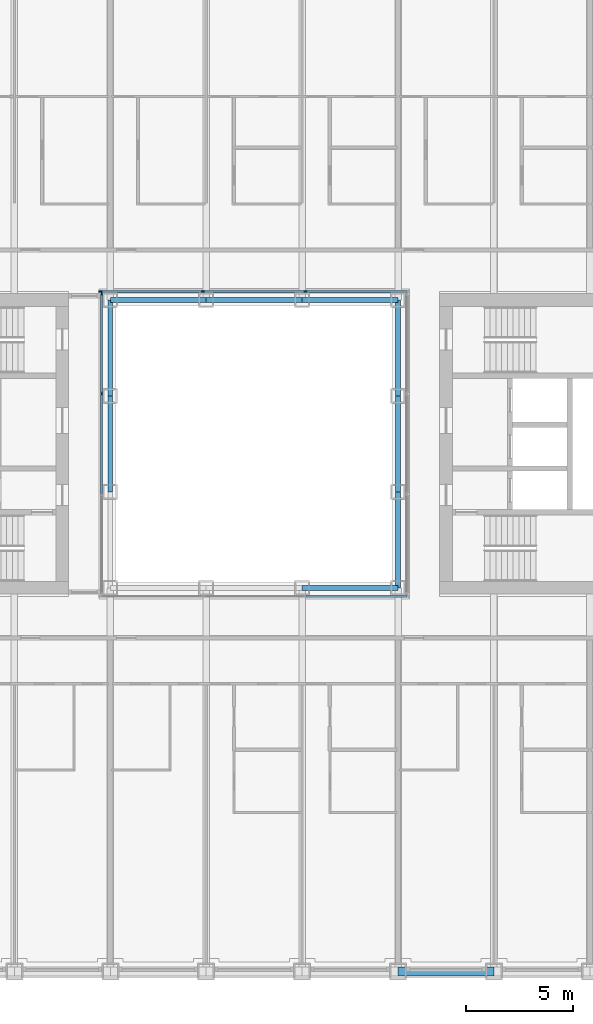
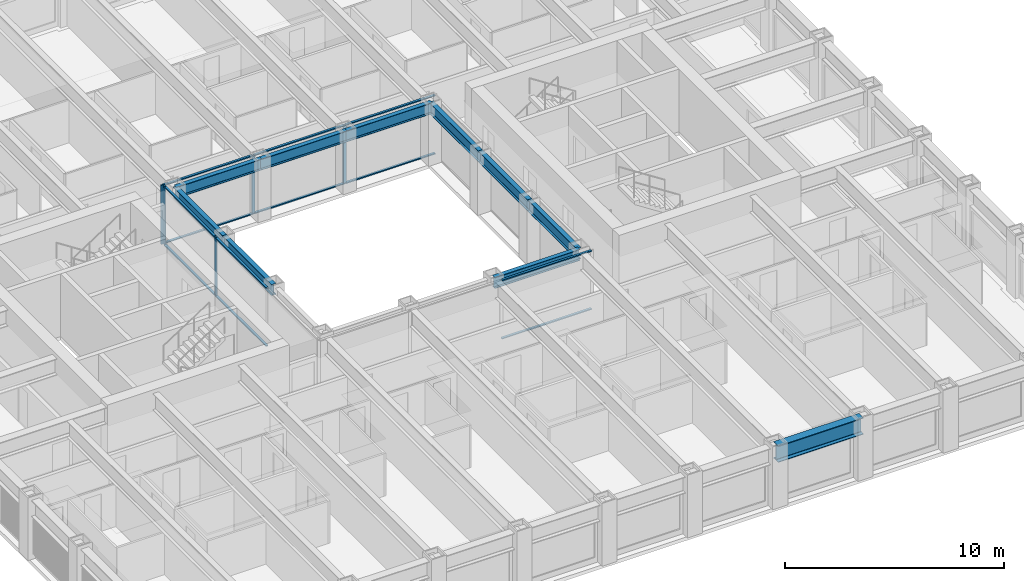
# One storey, part 4 of 21: 17 members, 10 beams, 3 elements without a shape of their own.
"""IFC4 building model written with IfcOpenShell, lengths in metres."""

from ifc_helpers import new_model, si_unit, direction, frame, origin, origin_2d, place, context, subcontext, project, spatial, rectangle, i_section, extrude, material, material_profile, profile_set, type_object, element, aggregate, save


model = new_model("IFC4")

# Units and contexts
model_context = context("Model", 3, precision=1e-05, world=origin(), true_north=direction((0.0, 1.0)))
body_context = subcontext(model_context, "Body", "Model", "MODEL_VIEW")
ifc_project = project(units=[si_unit("LENGTHUNIT", "METRE"), si_unit("AREAUNIT", "SQUARE_METRE"), si_unit("VOLUMEUNIT", "CUBIC_METRE"), si_unit("PLANEANGLEUNIT", "RADIAN"), si_unit("MASSUNIT", "GRAM", prefix="KILO")], contexts=[model_context])

# Site, building, storey
site_placement = place(None, origin())
site = spatial("IfcSite", under=ifc_project, at=site_placement, CompositionType="ELEMENT")
building_placement = place(site_placement, origin())
building = spatial("IfcBuilding", under=site, at=building_placement, Name="Msasa Ring Tower", CompositionType="ELEMENT")
storey_placement = place(building_placement, frame((0.0, 0.0, 54.5)))
storey = spatial("IfcBuildingStorey", under=building, at=storey_placement, Name="L13", CompositionType="ELEMENT", Elevation=54.5)

# Curtain wall, members
ifc_material_1 = material(Name="Aluminium curtain wall with clear glass", Category="aluminium")
curtain_wall_type = type_object("IfcCurtainWallType", Name="CW-W LIGHT WELL CURTAIN WALL", PredefinedType="NOTDEFINED", material=ifc_material_1)
curtain_wall_1_placement = place(storey_placement, origin())
curtain_wall_1 = element("IfcCurtainWall", 1, at=curtain_wall_1_placement, inside=storey, type_object=curtain_wall_type, Name="Light well curtain wall N L13", PredefinedType="NOTDEFINED")
ifc_material_2 = material(Name="Aluminium mullion", Category="aluminium")
ifc_material_profile_1 = material_profile(ifc_material_2, rectangle(XDim=0.06005859375, YDim=0.159912109375, at=origin_2d()), Name="AL 60x160")
ifc_profile_set_1 = profile_set([ifc_material_profile_1], Name="Aluminium mullion")
member_type_1 = type_object("IfcMemberType", Name="CW-W MULLION 60x160", PredefinedType="MULLION", material=ifc_profile_set_1)
member_1_placement = place(storey_placement, frame((-7.199951171875, 7.14990234375, 0.0), z_axis=(0.0, 0.0, 1.0), x_axis=(0.0, 1.0, 0.0)))
member_1 = element("IfcMember", 2, at=member_1_placement, type_object=member_type_1, Name="CW-W mullion 1", PredefinedType="MULLION", context=body_context, shape_type="SweptSolid", body=[
    extrude(rectangle(XDim=0.06005859375, YDim=0.159912109375, at=origin_2d()), origin(), (0.0, 0.0, 1.0), 3.300048828125),
])
member_2_placement = place(storey_placement, frame((-2.409912109375, 7.14990234375, 0.0), z_axis=(0.0, 0.0, 1.0), x_axis=(0.0, 1.0, 0.0)))
member_2 = element("IfcMember", 3, at=member_2_placement, type_object=member_type_1, Name="CW-W mullion 2", PredefinedType="MULLION", context=body_context, shape_type="SweptSolid", body=[
    extrude(rectangle(XDim=0.06005859375, YDim=0.159912109375, at=origin_2d()), origin(), (0.0, 0.0, 1.0), 3.300048828125),
])
member_3_placement = place(storey_placement, frame((2.409912109375, 7.14990234375, 0.0), z_axis=(0.0, 0.0, 1.0), x_axis=(0.0, 1.0, 0.0)))
member_3 = element("IfcMember", 4, at=member_3_placement, type_object=member_type_1, Name="CW-W mullion 3", PredefinedType="MULLION", context=body_context, shape_type="SweptSolid", body=[
    extrude(rectangle(XDim=0.06005859375, YDim=0.159912109375, at=origin_2d()), origin(), (0.0, 0.0, 1.0), 3.300048828125),
])

curtain_wall_2_placement = place(storey_placement, origin())
curtain_wall_2 = element("IfcCurtainWall", 5, at=curtain_wall_2_placement, inside=storey, type_object=curtain_wall_type, Name="Light well curtain wall W L13", PredefinedType="NOTDEFINED")
member_4_placement = place(storey_placement, frame((-7.14990234375, 2.356689453125, 0.0), z_axis=(0.0, 0.0, 1.0), x_axis=(-1.0, 0.0, 0.0)))
member_4 = element("IfcMember", 6, at=member_4_placement, type_object=member_type_1, Name="CW-W mullion 3", PredefinedType="MULLION", context=body_context, shape_type="SweptSolid", body=[
    extrude(rectangle(XDim=0.06005859375, YDim=0.159912109375, at=origin_2d()), origin(), (0.0, 0.0, 1.0), 3.300048828125),
])
member_5_placement = place(storey_placement, frame((-7.14990234375, 7.0400390625, 0.0), z_axis=(0.0, 0.0, 1.0), x_axis=(-1.0, 0.0, 0.0)))
member_5 = element("IfcMember", 7, at=member_5_placement, type_object=member_type_1, Name="CW-W mullion 4", PredefinedType="MULLION", context=body_context, shape_type="SweptSolid", body=[
    extrude(rectangle(XDim=0.06005859375, YDim=0.159912109375, at=origin_2d()), origin(), (0.0, 0.0, 1.0), 3.300048828125),
])

# Member
ifc_material_3 = material(Name="Aluminium transom", Category="aluminium")
ifc_material_profile_2 = material_profile(ifc_material_3, rectangle(XDim=0.1201171875, YDim=0.06005859375, at=origin_2d()), Name="AL 60x120")
ifc_profile_set_2 = profile_set([ifc_material_profile_2], Name="Aluminium transom")
member_type_2 = type_object("IfcMemberType", Name="CW-W TRANSOM 60x120", PredefinedType="USERDEFINED", material=ifc_profile_set_2)
member_6_placement = place(storey_placement, frame((-7.169921875, 7.14990234375, 0.030029296875), z_axis=(1.0, 0.0, 0.0), x_axis=(0.0, 1.0, 0.0)))
member_6 = element("IfcMember", 8, at=member_6_placement, type_object=member_type_2, Name="CW-W transom 1.1", ObjectType="TRANSOM", PredefinedType="USERDEFINED", context=body_context, shape_type="SweptSolid", body=[
    extrude(rectangle(XDim=0.1201171875, YDim=0.06005859375, at=origin_2d()), origin(), (0.0, 0.0, 1.0), 4.72998046875),
])

member_7_placement = place(storey_placement, frame((-7.169921875, 7.14990234375, 3.27001953125), z_axis=(1.0, 0.0, 0.0), x_axis=(0.0, 1.0, 0.0)))
member_7 = element("IfcMember", 9, at=member_7_placement, type_object=member_type_2, Name="CW-W transom 1.2", ObjectType="TRANSOM", PredefinedType="USERDEFINED", context=body_context, shape_type="SweptSolid", body=[
    extrude(rectangle(XDim=0.1201171875, YDim=0.06005859375, at=origin_2d()), origin(), (0.0, 0.0, 1.0), 4.72998046875),
])

member_8_placement = place(storey_placement, frame((-2.3798828125, 7.14990234375, 0.030029296875), z_axis=(1.0, 0.0, 0.0), x_axis=(0.0, 1.0, 0.0)))
member_8 = element("IfcMember", 10, at=member_8_placement, type_object=member_type_2, Name="CW-W transom 2.1", ObjectType="TRANSOM", PredefinedType="USERDEFINED", context=body_context, shape_type="SweptSolid", body=[
    extrude(rectangle(XDim=0.1201171875, YDim=0.06005859375, at=origin_2d()), origin(), (0.0, 0.0, 1.0), 4.759765625),
])

member_9_placement = place(storey_placement, frame((-2.3798828125, 7.14990234375, 3.27001953125), z_axis=(1.0, 0.0, 0.0), x_axis=(0.0, 1.0, 0.0)))
member_9 = element("IfcMember", 11, at=member_9_placement, type_object=member_type_2, Name="CW-W transom 2.2", ObjectType="TRANSOM", PredefinedType="USERDEFINED", context=body_context, shape_type="SweptSolid", body=[
    extrude(rectangle(XDim=0.1201171875, YDim=0.06005859375, at=origin_2d()), origin(), (0.0, 0.0, 1.0), 4.759765625),
])

member_10_placement = place(storey_placement, frame((2.43994140625, 7.14990234375, 0.030029296875), z_axis=(1.0, 0.0, 0.0), x_axis=(0.0, 1.0, 0.0)))
member_10 = element("IfcMember", 12, at=member_10_placement, type_object=member_type_2, Name="CW-W transom 3.1", ObjectType="TRANSOM", PredefinedType="USERDEFINED", context=body_context, shape_type="SweptSolid", body=[
    extrude(rectangle(XDim=0.1201171875, YDim=0.06005859375, at=origin_2d()), origin(), (0.0, 0.0, 1.0), 4.72998046875),
])

member_11_placement = place(storey_placement, frame((2.43994140625, 7.14990234375, 3.27001953125), z_axis=(1.0, 0.0, 0.0), x_axis=(0.0, 1.0, 0.0)))
member_11 = element("IfcMember", 13, at=member_11_placement, type_object=member_type_2, Name="CW-W transom 3.2", ObjectType="TRANSOM", PredefinedType="USERDEFINED", context=body_context, shape_type="SweptSolid", body=[
    extrude(rectangle(XDim=0.1201171875, YDim=0.06005859375, at=origin_2d()), origin(), (0.0, 0.0, 1.0), 4.72998046875),
])

aggregate(curtain_wall_1, [member_1, member_2, member_3, member_6, member_7, member_8, member_9, member_10, member_11])

# Curtain wall, members
curtain_wall_3_placement = place(storey_placement, origin())
curtain_wall_3 = element("IfcCurtainWall", 14, at=curtain_wall_3_placement, inside=storey, type_object=curtain_wall_type, Name="Light well curtain wall S L13", PredefinedType="NOTDEFINED")
member_12_placement = place(storey_placement, frame((2.43994140625, -7.14990234375, 0.030029296875), z_axis=(1.0, 0.0, 0.0), x_axis=(0.0, 1.0, 0.0)))
member_12 = element("IfcMember", 15, at=member_12_placement, type_object=member_type_2, Name="CW-W transom 3.1", ObjectType="TRANSOM", PredefinedType="USERDEFINED", context=body_context, shape_type="SweptSolid", body=[
    extrude(rectangle(XDim=0.1201171875, YDim=0.06005859375, at=origin_2d()), origin(), (0.0, 0.0, 1.0), 4.72998046875),
])
member_13_placement = place(storey_placement, frame((2.43994140625, -7.14990234375, 3.27001953125), z_axis=(1.0, 0.0, 0.0), x_axis=(0.0, 1.0, 0.0)))
member_13 = element("IfcMember", 16, at=member_13_placement, type_object=member_type_2, Name="CW-W transom 3.2", ObjectType="TRANSOM", PredefinedType="USERDEFINED", context=body_context, shape_type="SweptSolid", body=[
    extrude(rectangle(XDim=0.1201171875, YDim=0.06005859375, at=origin_2d()), origin(), (0.0, 0.0, 1.0), 4.72998046875),
])
aggregate(curtain_wall_3, [member_12, member_13])

# Member
member_14_placement = place(storey_placement, frame((-7.14990234375, -2.32666015625, 0.030029296875), z_axis=(0.0, 1.0, 0.0), x_axis=(-1.0, 0.0, 0.0)))
member_14 = element("IfcMember", 17, at=member_14_placement, type_object=member_type_2, Name="CW-W transom 2.1", ObjectType="TRANSOM", PredefinedType="USERDEFINED", context=body_context, shape_type="SweptSolid", body=[
    extrude(rectangle(XDim=0.1201171875, YDim=0.06005859375, at=origin_2d()), origin(), (0.0, 0.0, 1.0), 4.6533203125),
])

member_15_placement = place(storey_placement, frame((-7.14990234375, -2.32666015625, 3.27001953125), z_axis=(0.0, 1.0, 0.0), x_axis=(-1.0, 0.0, 0.0)))
member_15 = element("IfcMember", 18, at=member_15_placement, type_object=member_type_2, Name="CW-W transom 2.2", ObjectType="TRANSOM", PredefinedType="USERDEFINED", context=body_context, shape_type="SweptSolid", body=[
    extrude(rectangle(XDim=0.1201171875, YDim=0.06005859375, at=origin_2d()), origin(), (0.0, 0.0, 1.0), 4.6533203125),
])

member_16_placement = place(storey_placement, frame((-7.14990234375, 2.38671875, 0.030029296875), z_axis=(0.0, 1.0, 0.0), x_axis=(-1.0, 0.0, 0.0)))
member_16 = element("IfcMember", 19, at=member_16_placement, type_object=member_type_2, Name="CW-W transom 3.1", ObjectType="TRANSOM", PredefinedType="USERDEFINED", context=body_context, shape_type="SweptSolid", body=[
    extrude(rectangle(XDim=0.1201171875, YDim=0.06005859375, at=origin_2d()), origin(), (0.0, 0.0, 1.0), 4.623291015625),
])

member_17_placement = place(storey_placement, frame((-7.14990234375, 2.38671875, 3.27001953125), z_axis=(0.0, 1.0, 0.0), x_axis=(-1.0, 0.0, 0.0)))
member_17 = element("IfcMember", 20, at=member_17_placement, type_object=member_type_2, Name="CW-W transom 3.2", ObjectType="TRANSOM", PredefinedType="USERDEFINED", context=body_context, shape_type="SweptSolid", body=[
    extrude(rectangle(XDim=0.1201171875, YDim=0.06005859375, at=origin_2d()), origin(), (0.0, 0.0, 1.0), 4.623291015625),
])

aggregate(curtain_wall_2, [member_4, member_5, member_14, member_15, member_16, member_17])

# Beams
ifc_material_4 = material(Name="Steel S355", Category="steel")
ifc_material_profile_3 = material_profile(ifc_material_4, i_section(OverallWidth=0.230224609375, OverallDepth=0.6171875, WebThickness=0.01318359375, FlangeThickness=0.022216796875, FilletRadius=0.0126953125, at=origin_2d()), Name="UB 610x229x140")
ifc_profile_set_3 = profile_set([ifc_material_profile_3], Name="Steel S355")
beam_type_1 = type_object("IfcBeamType", Name="RB1 UB 610x229x140", PredefinedType="BEAM", material=ifc_profile_set_3)
for number, where, z_axis, x_axis, name in (
    (21, (2.25, -6.75, 2.991455078125), (1.0, 0.0, 0.0), (0.0, 1.0, 0.0), "Inner ring beam IR+2.25-6.75 under L14"),
    (22, (6.75, -6.75, 2.991455078125), (0.0, 1.0, 0.0), (-1.0, 0.0, 0.0), "Inner ring beam IR+6.75-6.75 under L14"),
    (23, (6.75, -2.25, 2.991455078125), (0.0, 1.0, 0.0), (-1.0, 0.0, 0.0), "Inner ring beam IR+6.75-2.25 under L14"),
    (24, (6.75, 2.25, 2.991455078125), (0.0, 1.0, 0.0), (-1.0, 0.0, 0.0), "Inner ring beam IR+6.75+2.25 under L14"),
    (25, (6.75, 6.75, 2.991455078125), (-1.0, 0.0, 0.0), (0.0, -1.0, 0.0), "Inner ring beam IR+6.75+6.75 under L14"),
    (26, (2.25, 6.75, 2.991455078125), (-1.0, 0.0, 0.0), (0.0, -1.0, 0.0), "Inner ring beam IR+2.25+6.75 under L14"),
    (27, (-2.25, 6.75, 2.991455078125), (-1.0, 0.0, 0.0), (0.0, -1.0, 0.0), "Inner ring beam IR-2.25+6.75 under L14"),
    (28, (-6.75, 6.75, 2.991455078125), (0.0, -1.0, 0.0), (1.0, 0.0, 0.0), "Inner ring beam IR-6.75+6.75 under L14"),
    (29, (-6.75, 2.25, 2.991455078125), (0.0, -1.0, 0.0), (1.0, 0.0, 0.0), "Inner ring beam IR-6.75+2.25 under L14"),
):
    element("IfcBeam", number, at=place(storey_placement, frame(where, z_axis=z_axis, x_axis=x_axis)), inside=storey, type_object=beam_type_1, Name=name, PredefinedType="BEAM", context=body_context, shape_type="SweptSolid", body=[
        extrude(i_section(OverallWidth=0.230224609375, OverallDepth=0.6171875, WebThickness=0.01318359375, FlangeThickness=0.022216796875, FilletRadius=0.0126953125, at=origin_2d()), origin(), (0.0, 0.0, 1.0), 4.5),
    ])
ifc_material_5 = material(Name="Steel S355", Category="steel")
ifc_material_profile_4 = material_profile(ifc_material_5, i_section(OverallWidth=0.42041015625, OverallDepth=0.9208984375, WebThickness=0.021484375, FlangeThickness=0.03662109375, FilletRadius=0.024169921875, at=origin_2d()), Name="UB 914x419x388")
ifc_profile_set_4 = profile_set([ifc_material_profile_4], Name="Steel S355")
beam_type_2 = type_object("IfcBeamType", Name="SB1 UB 914x419x388", PredefinedType="SPANDREL", material=ifc_profile_set_4)
beam_placement = place(storey_placement, frame((6.75, -24.75, 2.839599609375), z_axis=(1.0, 0.0, 0.0), x_axis=(0.0, 1.0, 0.0)))
element("IfcBeam", 30, at=beam_placement, inside=storey, type_object=beam_type_2, Name="Spandrel S+6.75 to S+11.25 under L14", PredefinedType="SPANDREL", context=body_context, shape_type="SweptSolid", body=[
    extrude(i_section(OverallWidth=0.42041015625, OverallDepth=0.9208984375, WebThickness=0.021484375, FlangeThickness=0.03662109375, FilletRadius=0.024169921875, at=origin_2d()), origin(), (0.0, 0.0, 1.0), 4.5),
])

save(model, "model.ifc")
